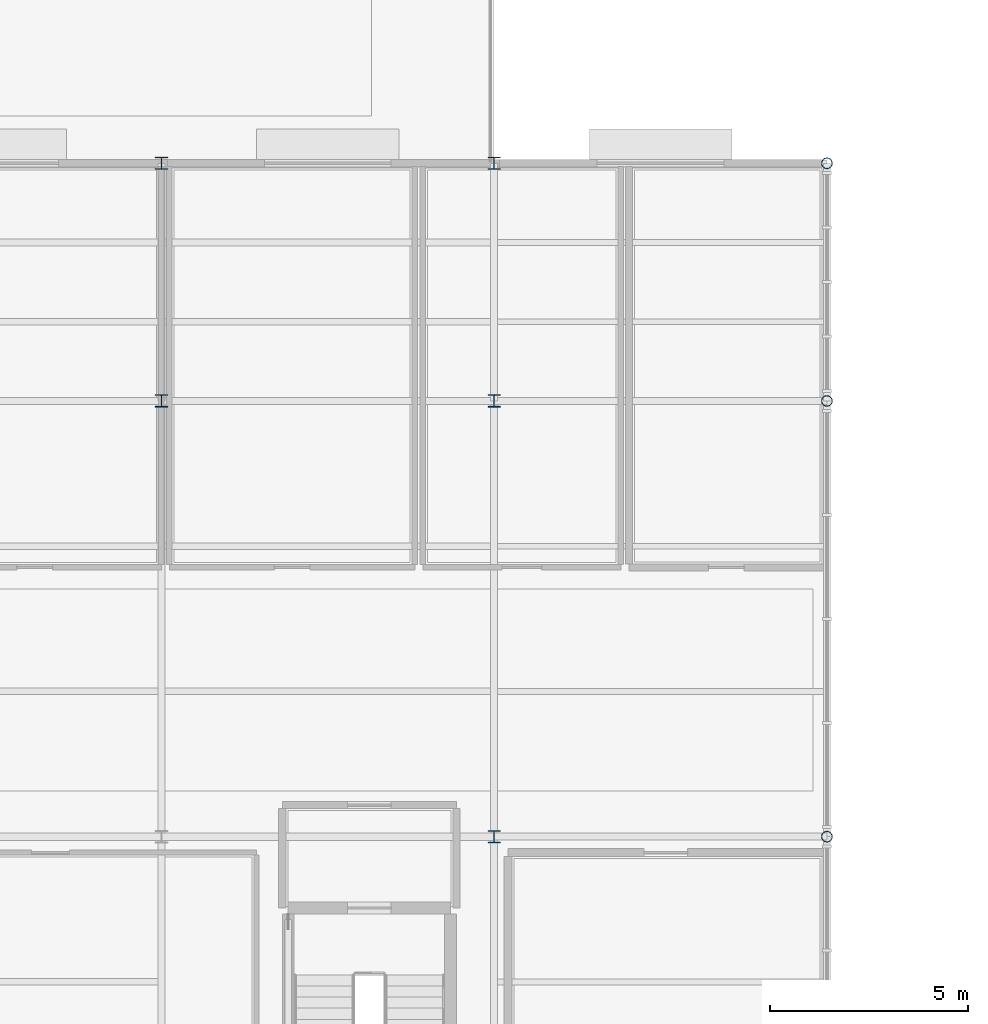
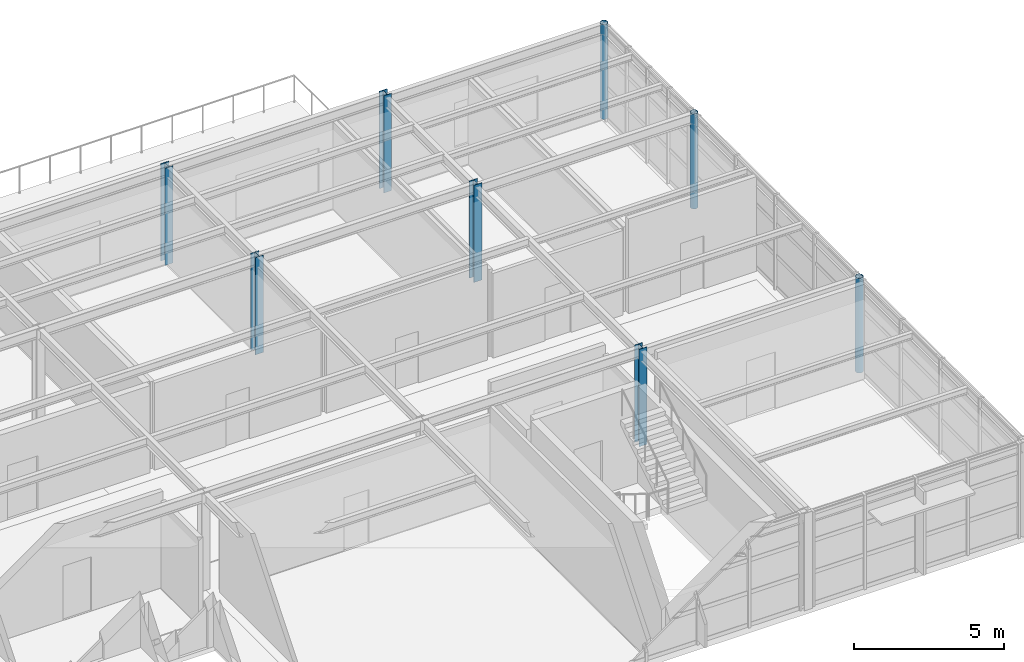
# One storey, part 4 of 21: 8 columns.
"""IFC4 building model written with IfcOpenShell, lengths in metres."""

import ifcopenshell
import ifcopenshell.guid

model = None  # the IFC model being written
_history = None  # IfcOwnerHistory: only IFC2X3 demands one
_inside = {}  # id of a spatial element -> (the spatial element, [elements in it])
_under = {}  # id of a project, library or spatial element -> (it, [spatial elements below it])
_declared = {}  # id of a project -> (the project, [libraries it declares])
_typed = {}  # id of a type object -> (the type object, [elements of that type])
_made_of = {}  # id of a material, layer set ... -> (it, [elements and type objects made of it])


def new_model(schema):
    """Start an empty IFC model of exactly this schema.

    Asked for "IFC4X3", IfcOpenShell would pick the latest addendum, in which some entities
    have other attributes; the version numbers below select the first issue.
    IFC2X3 requires an IfcOwnerHistory on every rooted entity: one is made here for all.
    """
    global model, _history
    if schema == "IFC4X3":
        model = ifcopenshell.file(schema_version=(4, 3, 0, 0))
    else:
        model = ifcopenshell.file(schema=schema)
    _inside.clear()
    _under.clear()
    _declared.clear()
    _typed.clear()
    _made_of.clear()
    _history = None
    if model.schema == "IFC2X3":
        org = make("IfcOrganization", Name="unknown")
        user = make(
            "IfcPersonAndOrganization",
            ThePerson=make("IfcPerson", FamilyName="unknown"),
            TheOrganization=org,
        )
        app = make(
            "IfcApplication",
            ApplicationDeveloper=org,
            Version="unknown",
            ApplicationFullName="unknown",
            ApplicationIdentifier="unknown",
        )
        _history = make(
            "IfcOwnerHistory",
            OwningUser=user,
            OwningApplication=app,
            ChangeAction="ADDED",
            CreationDate=0,
        )
    return model


def make(cls, **values):
    """One entity of the class cls with the attributes given. An attribute that is None is left unset."""
    return model.create_entity(
        cls, **{name: value for name, value in values.items() if value is not None}
    )


def rooted(cls, **values):
    """An entity with a GlobalId (a new one), such as an element, a storey or a relation."""
    return make(cls, GlobalId=ifcopenshell.guid.new(), OwnerHistory=_history, **values)


def si_unit(unit_type, name, prefix=None):
    """IfcSIUnit, for example si_unit("LENGTHUNIT", "METRE", prefix="MILLI")."""
    return make("IfcSIUnit", UnitType=unit_type, Prefix=prefix, Name=name)


def assignment(units):
    """IfcUnitAssignment: the units of a project."""
    return None if units is None else make("IfcUnitAssignment", Units=units)


def point(xyz):
    """IfcCartesianPoint."""
    return None if xyz is None else make("IfcCartesianPoint", Coordinates=xyz)


def direction(xyz):
    """IfcDirection."""
    return None if xyz is None else make("IfcDirection", DirectionRatios=xyz)


def frame(location, z_axis=None, x_axis=None):
    """IfcAxis2Placement3D, a coordinate frame: its origin and axes. An axis left out is left unset."""
    return make(
        "IfcAxis2Placement3D",
        Location=point(location),
        Axis=direction(z_axis),
        RefDirection=direction(x_axis),
    )


def frame_2d(location, x_axis=None):
    """IfcAxis2Placement2D, a coordinate frame in the plane: its origin and x axis."""
    return make(
        "IfcAxis2Placement2D", Location=point(location), RefDirection=direction(x_axis)
    )


def origin():
    """The frame at (0, 0, 0) with its axes left unset."""
    return frame((0.0, 0.0, 0.0))


def origin_2d():
    """The frame at (0, 0) in the plane with its x axis left unset."""
    return frame_2d((0.0, 0.0))


def place(relative_to, where):
    """IfcLocalPlacement: puts the frame where relative to a parent placement (None: the world)."""
    return make(
        "IfcLocalPlacement", PlacementRelTo=relative_to, RelativePlacement=where
    )


def context(
    kind, dimensions, precision=None, world=None, true_north=None, identifier=None
):
    """IfcGeometricRepresentationContext, for example the 3D "Model" context."""
    return make(
        "IfcGeometricRepresentationContext",
        ContextIdentifier=identifier,
        ContextType=kind,
        CoordinateSpaceDimension=dimensions,
        Precision=precision,
        WorldCoordinateSystem=world,
        TrueNorth=true_north,
    )


def subcontext(parent, identifier, kind, view, scale=None):
    """IfcGeometricRepresentationSubContext, for example "Body" below "Model"."""
    return make(
        "IfcGeometricRepresentationSubContext",
        ContextIdentifier=identifier,
        ContextType=kind,
        ParentContext=parent,
        TargetScale=scale,
        TargetView=view,
    )


def project(units=None, contexts=None):
    """IfcProject with its units and contexts."""
    return rooted(
        "IfcProject",
        Name="project",
        RepresentationContexts=contexts,
        UnitsInContext=assignment(units),
    )


def spatial(cls, under=None, at=None, **own):
    """A site, building, storey or space (cls), placed at a placement, below another one or the project."""
    s = rooted(cls, ObjectPlacement=at, **own)
    if under is not None:
        _under.setdefault(under.id(), (under, []))[1].append(s)
    return s


def profile(cls, at=None, kind="AREA", **sizes):
    """A parametric profile (cls). Its sizes go by their IFC names, for example OverallWidth=200.0."""
    return make(cls, ProfileType=kind, Position=at, **sizes)


def hollow_circle(**sizes):
    """IfcCircleHollowProfileDef."""
    return profile("IfcCircleHollowProfileDef", **sizes)


def i_section(**sizes):
    """IfcIShapeProfileDef."""
    return profile("IfcIShapeProfileDef", **sizes)


def extrude(swept, where, along, depth):
    """IfcExtrudedAreaSolid: the profile swept, set in the frame where, extruded along a direction by depth."""
    return make(
        "IfcExtrudedAreaSolid",
        SweptArea=swept,
        Position=where,
        ExtrudedDirection=direction(along),
        Depth=depth,
    )


def shape(context_of_items, identifier, shape_type, items):
    """IfcShapeRepresentation: the items that make up one representation, for example the "Body"."""
    return make(
        "IfcShapeRepresentation",
        ContextOfItems=context_of_items,
        RepresentationIdentifier=identifier,
        RepresentationType=shape_type,
        Items=items,
    )


def material(Name=None, Category=None):
    """IfcMaterial."""
    return make("IfcMaterial", Name=Name, Category=Category)


def material_profile(
    of_material, cross_section, Name=None, Category=None, Priority=None
):
    """IfcMaterialProfile: a cross section and its material."""
    return make(
        "IfcMaterialProfile",
        Name=Name,
        Material=of_material,
        Profile=cross_section,
        Priority=Priority,
        Category=Category,
    )


def profile_set(profiles, Name=None, composite=None):
    """IfcMaterialProfileSet."""
    return make(
        "IfcMaterialProfileSet",
        Name=Name,
        MaterialProfiles=profiles,
        CompositeProfile=composite,
    )


def made_of(thing, what):
    """Note that an element or type object is made of a material, layer set ...; save() writes the relation."""
    if what is not None:
        _made_of.setdefault(what.id(), (what, []))[1].append(thing)
    return thing


def type_object(cls, material=None, **own):
    """A type object (cls), such as IfcWallType, which elements share."""
    return made_of(rooted(cls, **own), material)


def element(
    cls,
    number,
    at=None,
    inside=None,
    cuts=None,
    type_object=None,
    material=None,
    context=None,
    identifier="Body",
    shape_type=None,
    held_by="IfcProductDefinitionShape",
    body=None,
    shapes=None,
    **own,
):
    """One element of the class cls, such as IfcWall. Its Tag is "e" and its number.

    at: its placement. inside: the storey or other place that contains it. cuts: it is an
    opening in that element (IfcRelVoidsElement). A single representation is given by context,
    identifier, shape_type and body (its items); several are given by shapes. held_by: the class
    of the entity that holds the representations. save() writes the other relations.
    """
    e = rooted(cls, Tag="e%d" % number, ObjectPlacement=at, **own)
    if body is not None:
        shapes = [shape(context, identifier, shape_type, body)]
    if shapes is not None:
        e.Representation = make(held_by, Representations=shapes)
    if inside is not None:
        _inside.setdefault(inside.id(), (inside, []))[1].append(e)
    if cuts is not None:
        rooted(
            "IfcRelVoidsElement", RelatingBuildingElement=cuts, RelatedOpeningElement=e
        )
    if type_object is not None:
        _typed.setdefault(type_object.id(), (type_object, []))[1].append(e)
    return made_of(e, material)


def aggregate(whole, parts):
    """IfcRelAggregates: a whole, such as a stair, and the parts it consists of."""
    return rooted("IfcRelAggregates", RelatingObject=whole, RelatedObjects=parts)


def save(model, path):
    """Write the relations noted so far, then the file.

    IfcRelAggregates (storeys below a building ...), IfcRelContainedInSpatialStructure (elements
    in a storey), IfcRelDefinesByType, IfcRelAssociatesMaterial and IfcRelDeclares: one each for
    every whole, place, type object, material and project.
    """
    for whole, parts in _under.values():
        aggregate(whole, parts)
    for where, things in _inside.values():
        rooted(
            "IfcRelContainedInSpatialStructure",
            RelatedElements=things,
            RelatingStructure=where,
        )
    for kind, things in _typed.values():
        rooted("IfcRelDefinesByType", RelatedObjects=things, RelatingType=kind)
    for what, things in _made_of.values():
        rooted("IfcRelAssociatesMaterial", RelatedObjects=things, RelatingMaterial=what)
    for by, libraries in _declared.values():
        rooted("IfcRelDeclares", RelatingContext=by, RelatedDefinitions=libraries)
    model.write(path)


model = new_model("IFC4")

# Units and contexts
model_context = context("Model", 3, precision=1e-05, world=origin(), true_north=direction((0.0, 1.0)))
body_context = subcontext(model_context, "Body", "Model", "MODEL_VIEW")
ifc_project = project(units=[si_unit("LENGTHUNIT", "METRE"), si_unit("AREAUNIT", "SQUARE_METRE"), si_unit("VOLUMEUNIT", "CUBIC_METRE"), si_unit("PLANEANGLEUNIT", "RADIAN"), si_unit("MASSUNIT", "GRAM", prefix="KILO")], contexts=[model_context])

# Site, building, storey
site_placement = place(None, origin())
site = spatial("IfcSite", under=ifc_project, at=site_placement, CompositionType="ELEMENT")
building_placement = place(site_placement, origin())
building = spatial("IfcBuilding", under=site, at=building_placement, Name="Sitalva Quay Ferry Terminal", CompositionType="ELEMENT")
storey_placement = place(building_placement, frame((0.0, 0.0, 14.39990234375)))
storey = spatial("IfcBuildingStorey", under=building, at=storey_placement, Name="L04", CompositionType="ELEMENT", Elevation=14.39990234375)

# Columns
ifc_material_1 = material(Name="Structural Steel S355JR", Category="steel")
ifc_material_profile_1 = material_profile(ifc_material_1, hollow_circle(Radius=0.136474609375, WallThickness=0.010009765625, at=origin_2d()), Name="CHS273x10")
ifc_profile_set_1 = profile_set([ifc_material_profile_1], Name="Structural Steel S355JR")
column_type_1 = type_object("IfcColumnType", Name="Col_CHS273x10", PredefinedType="COLUMN", material=ifc_profile_set_1)
for number, where, z_axis, x_axis, name in (
    (1, (126.0, 89.0, 0.0), (0.0, 0.0, 1.0), (1.0, 0.0, 0.0), "L04 column 16K"),
    (2, (126.0, 100.0, 0.0), (0.0, 0.0, 1.0), (1.0, 0.0, 0.0), "L04 column 16L"),
    (3, (126.0, 106.0, 0.0), (0.0, 0.0, 1.0), (1.0, 0.0, 0.0), "L04 column 16M"),
):
    element("IfcColumn", number, at=place(storey_placement, frame(where, z_axis=z_axis, x_axis=x_axis)), inside=storey, type_object=column_type_1, Name=name, PredefinedType="COLUMN", context=body_context, shape_type="SweptSolid", body=[
        extrude(hollow_circle(Radius=0.136474609375, WallThickness=0.010009765625, at=origin_2d()), origin(), (0.0, 0.0, 1.0), 3.85009765625),
    ])
ifc_material_2 = material(Name="Structural Steel S355JR", Category="steel")
ifc_material_profile_2 = material_profile(ifc_material_2, i_section(OverallWidth=0.305908203125, OverallDepth=0.31103515625, WebThickness=0.010986328125, FlangeThickness=0.01708984375, FilletRadius=0.014892578125, at=origin_2d()), Name="W310x107")
ifc_profile_set_2 = profile_set([ifc_material_profile_2], Name="Structural Steel S355JR")
column_type_2 = type_object("IfcColumnType", Name="Col_W310x107", PredefinedType="COLUMN", material=ifc_profile_set_2)
for number, where, z_axis, x_axis, name in (
    (4, (117.60009765625, 89.0, 0.0), (0.0, 0.0, 1.0), (1.0, 0.0, 0.0), "L04 column 15K"),
    (5, (109.199951171875, 100.0, 0.0), (0.0, 0.0, 1.0), (1.0, 0.0, 0.0), "L04 column 14L"),
    (6, (117.60009765625, 100.0, 0.0), (0.0, 0.0, 1.0), (1.0, 0.0, 0.0), "L04 column 15L"),
    (7, (109.199951171875, 106.0, 0.0), (0.0, 0.0, 1.0), (1.0, 0.0, 0.0), "L04 column 14M"),
    (8, (117.60009765625, 106.0, 0.0), (0.0, 0.0, 1.0), (1.0, 0.0, 0.0), "L04 column 15M"),
):
    element("IfcColumn", number, at=place(storey_placement, frame(where, z_axis=z_axis, x_axis=x_axis)), inside=storey, type_object=column_type_2, Name=name, PredefinedType="COLUMN", context=body_context, shape_type="SweptSolid", body=[
        extrude(i_section(OverallWidth=0.305908203125, OverallDepth=0.31103515625, WebThickness=0.010986328125, FlangeThickness=0.01708984375, FilletRadius=0.014892578125, at=origin_2d()), origin(), (0.0, 0.0, 1.0), 3.9501953125),
    ])

save(model, "model.ifc")
